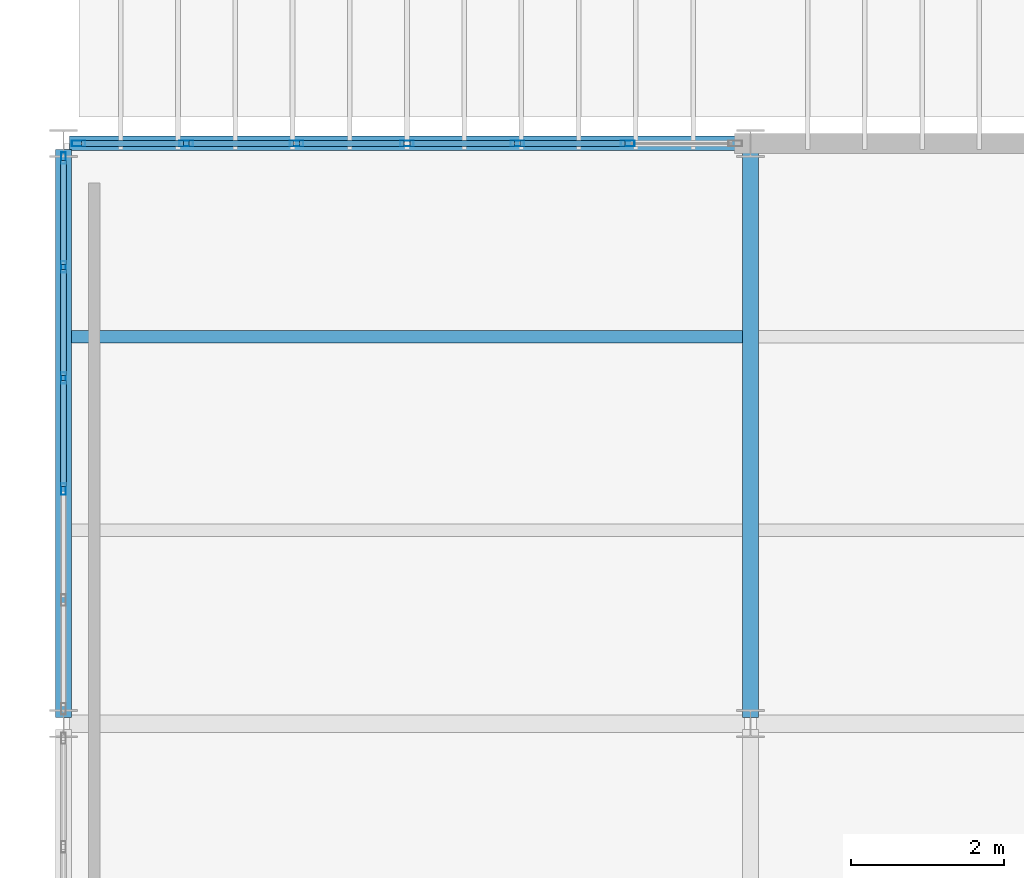
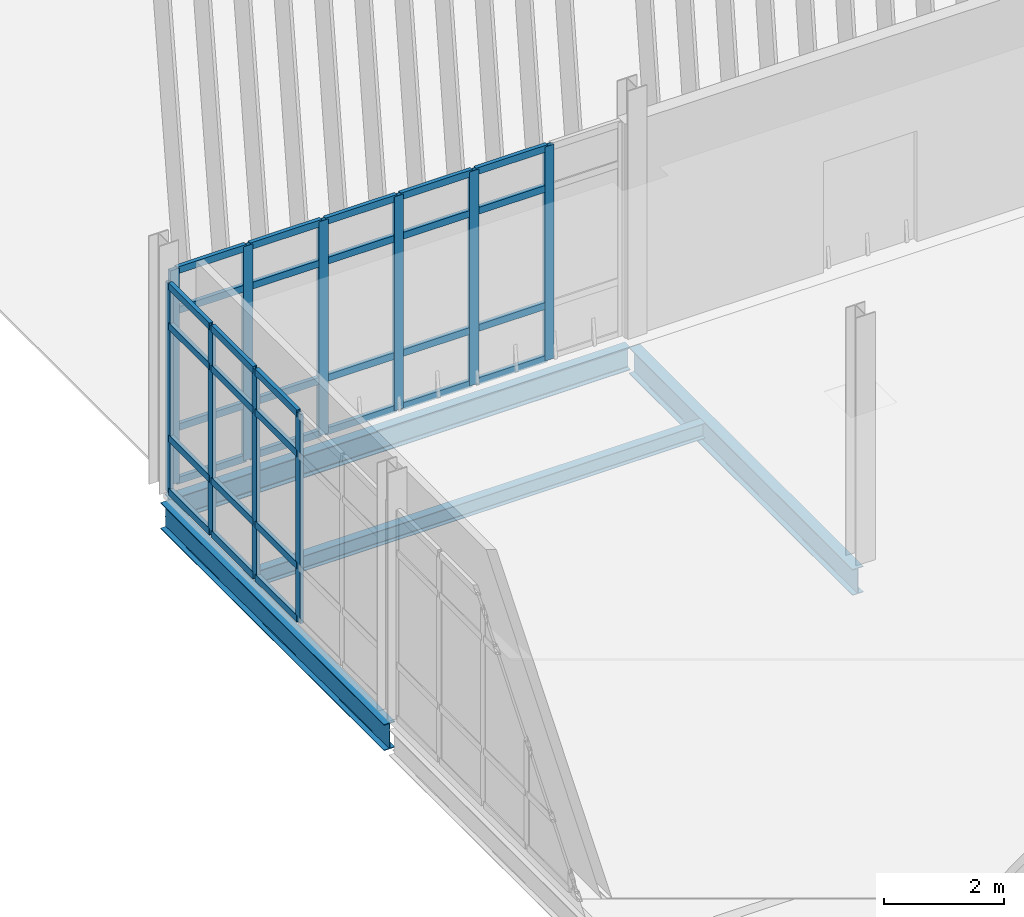
# One storey, part 44 of 161: 42 members, 4 beams, 2 elements without a shape of their own.
"""IFC4 building model written with IfcOpenShell, lengths in metres."""

from ifc_helpers import new_model, si_unit, direction, frame, origin, origin_2d, place, context, subcontext, project, spatial, hollow_rectangle, i_section, extrude, material, material_profile, profile_set, type_object, element, aggregate, save


model = new_model("IFC4")

# Units and contexts
model_context = context("Model", 3, precision=1e-05, world=origin(), true_north=direction((0.0, 1.0)))
body_context = subcontext(model_context, "Body", "Model", "MODEL_VIEW")
ifc_project = project(units=[si_unit("LENGTHUNIT", "METRE"), si_unit("AREAUNIT", "SQUARE_METRE"), si_unit("VOLUMEUNIT", "CUBIC_METRE"), si_unit("PLANEANGLEUNIT", "RADIAN"), si_unit("MASSUNIT", "GRAM", prefix="KILO")], contexts=[model_context])

# Site, building, storey
site_placement = place(None, origin())
site = spatial("IfcSite", under=ifc_project, at=site_placement, CompositionType="ELEMENT")
building_placement = place(site_placement, origin())
building = spatial("IfcBuilding", under=site, at=building_placement, Name="Caisbarro Railhouse Central Library", CompositionType="ELEMENT")
storey_placement = place(building_placement, origin())
storey = spatial("IfcBuildingStorey", under=building, at=storey_placement, Name="L00", CompositionType="ELEMENT", Elevation=0.0)

# Beams
ifc_material_1 = material(Name="Steel ASTM A572 Grade 50", Category="steel")
ifc_material_profile_1 = material_profile(ifc_material_1, i_section(OverallWidth=0.208984375, OverallDepth=0.532958984375, WebThickness=0.01025390625, FlangeThickness=0.015625, FilletRadius=0.02001953125, at=origin_2d()), Name="W530X92.0")
ifc_profile_set_1 = profile_set([ifc_material_profile_1], Name="Steel ASTM A572 Grade 50")
beam_type_1 = type_object("IfcBeamType", Name="BM-G06", PredefinedType="BEAM", material=ifc_profile_set_1)
for number, where, z_axis, x_axis, name in (
    (1, (0.0, 53.280029296875, -0.5166015625), (0.0, 1.0, 0.0), (-1.0, 0.0, 0.0), "G06 beam L00 #286"),
    (2, (9.0, 53.280029296875, -0.5166015625), (0.0, 1.0, 0.0), (-1.0, 0.0, 0.0), "G06 beam L00 #290"),
):
    element("IfcBeam", number, at=place(storey_placement, frame(where, z_axis=z_axis, x_axis=x_axis)), inside=storey, type_object=beam_type_1, Name=name, PredefinedType="BEAM", context=body_context, shape_type="SweptSolid", body=[
        extrude(i_section(OverallWidth=0.208984375, OverallDepth=0.532958984375, WebThickness=0.01025390625, FlangeThickness=0.015625, FilletRadius=0.02001953125, at=origin_2d()), origin(), (0.0, 0.0, 1.0), 7.43994140625),
    ])
ifc_material_profile_2 = material_profile(ifc_material_1, i_section(OverallWidth=0.1650390625, OverallDepth=0.31005859375, WebThickness=0.005859375, FlangeThickness=0.009765625, FilletRadius=0.011962890625, at=origin_2d()), Name="W310X38.7")
ifc_profile_set_2 = profile_set([ifc_material_profile_2], Name="Steel ASTM A572 Grade 50")
beam_type_2 = type_object("IfcBeamType", Name="BM-J03", PredefinedType="JOIST", material=ifc_profile_set_2)
beam_1_placement = place(storey_placement, frame((0.1044921875, 58.2666015625, -0.405029296875), z_axis=(1.0, 0.0, 0.0), x_axis=(0.0, 1.0, 0.0)))
element("IfcBeam", 3, at=beam_1_placement, inside=storey, type_object=beam_type_2, Name="J03 beam L00 #326", PredefinedType="JOIST", context=body_context, shape_type="SweptSolid", body=[
    extrude(i_section(OverallWidth=0.1650390625, OverallDepth=0.31005859375, WebThickness=0.005859375, FlangeThickness=0.009765625, FilletRadius=0.011962890625, at=origin_2d()), origin(), (0.0, 0.0, 1.0), 8.791015625),
])
ifc_material_profile_3 = material_profile(ifc_material_1, i_section(OverallWidth=0.18994140625, OverallDepth=0.45703125, WebThickness=0.009033203125, FlangeThickness=0.014404296875, FilletRadius=0.01806640625, at=origin_2d()), Name="W460X74.0")
ifc_profile_set_3 = profile_set([ifc_material_profile_3], Name="Steel ASTM A572 Grade 50")
beam_type_3 = type_object("IfcBeamType", Name="BM-SP01", PredefinedType="SPANDREL", material=ifc_profile_set_3)
beam_2_placement = place(storey_placement, frame((0.080078125, 60.800048828125, -0.478515625), z_axis=(1.0, 0.0, 0.0), x_axis=(0.0, 1.0, 0.0)))
element("IfcBeam", 4, at=beam_2_placement, inside=storey, type_object=beam_type_3, Name="SP01 beam L00 #275", PredefinedType="SPANDREL", context=body_context, shape_type="SweptSolid", body=[
    extrude(i_section(OverallWidth=0.18994140625, OverallDepth=0.45703125, WebThickness=0.009033203125, FlangeThickness=0.014404296875, FilletRadius=0.01806640625, at=origin_2d()), origin(), (0.0, 0.0, 1.0), 8.83984375),
])

# Curtain wall, members
ifc_material_2 = material(Name="Anodised architectural aluminium", Category="aluminium")
curtain_wall_type_1 = type_object("IfcCurtainWallType", Name="CW-CW01", PredefinedType="NOTDEFINED", material=ifc_material_2)
curtain_wall_1_placement = place(storey_placement, origin())
curtain_wall_1 = element("IfcCurtainWall", 5, at=curtain_wall_1_placement, inside=storey, type_object=curtain_wall_type_1, Name="CW01 curtain wall L00 #1", PredefinedType="NOTDEFINED")
ifc_material_profile_4 = material_profile(ifc_material_2, hollow_rectangle(XDim=0.074951171875, YDim=0.179931640625, WallThickness=0.00439453125, at=origin_2d()), Name="ALU-MUL-75X180")
ifc_profile_set_4 = profile_set([ifc_material_profile_4], Name="Anodised architectural aluminium")
member_type_1 = type_object("IfcMemberType", Name="CWM-M01", PredefinedType="MULLION", material=ifc_profile_set_4)
member_1_placement = place(storey_placement, frame((0.197509765625, 60.800048828125, 0.0), z_axis=(0.0, 0.0, 1.0), x_axis=(0.0, 1.0, 0.0)))
member_1 = element("IfcMember", 6, at=member_1_placement, type_object=member_type_1, Name="CW01 mullion 1", PredefinedType="MULLION", context=body_context, shape_type="SweptSolid", body=[
    extrude(hollow_rectangle(XDim=0.074951171875, YDim=0.179931640625, WallThickness=0.00439453125, at=origin_2d()), origin(), (0.0, 0.0, 1.0), 4.35009765625),
])
member_2_placement = place(storey_placement, frame((1.606689453125, 60.800048828125, 0.0), z_axis=(0.0, 0.0, 1.0), x_axis=(0.0, 1.0, 0.0)))
member_2 = element("IfcMember", 7, at=member_2_placement, type_object=member_type_1, Name="CW01 mullion 2", PredefinedType="MULLION", context=body_context, shape_type="SweptSolid", body=[
    extrude(hollow_rectangle(XDim=0.074951171875, YDim=0.179931640625, WallThickness=0.00439453125, at=origin_2d()), origin(), (0.0, 0.0, 1.0), 4.35009765625),
])
member_3_placement = place(storey_placement, frame((3.05322265625, 60.800048828125, 0.0), z_axis=(0.0, 0.0, 1.0), x_axis=(0.0, 1.0, 0.0)))
member_3 = element("IfcMember", 8, at=member_3_placement, type_object=member_type_1, Name="CW01 mullion 3", PredefinedType="MULLION", context=body_context, shape_type="SweptSolid", body=[
    extrude(hollow_rectangle(XDim=0.074951171875, YDim=0.179931640625, WallThickness=0.00439453125, at=origin_2d()), origin(), (0.0, 0.0, 1.0), 4.35009765625),
])
member_4_placement = place(storey_placement, frame((4.5, 60.800048828125, 0.0), z_axis=(0.0, 0.0, 1.0), x_axis=(0.0, 1.0, 0.0)))
member_4 = element("IfcMember", 9, at=member_4_placement, type_object=member_type_1, Name="CW01 mullion 4", PredefinedType="MULLION", context=body_context, shape_type="SweptSolid", body=[
    extrude(hollow_rectangle(XDim=0.074951171875, YDim=0.179931640625, WallThickness=0.00439453125, at=origin_2d()), origin(), (0.0, 0.0, 1.0), 4.35009765625),
])
member_5_placement = place(storey_placement, frame((5.94677734375, 60.800048828125, 0.0), z_axis=(0.0, 0.0, 1.0), x_axis=(0.0, 1.0, 0.0)))
member_5 = element("IfcMember", 10, at=member_5_placement, type_object=member_type_1, Name="CW01 mullion 5", PredefinedType="MULLION", context=body_context, shape_type="SweptSolid", body=[
    extrude(hollow_rectangle(XDim=0.074951171875, YDim=0.179931640625, WallThickness=0.00439453125, at=origin_2d()), origin(), (0.0, 0.0, 1.0), 4.35009765625),
])
member_6_placement = place(storey_placement, frame((7.393310546875, 60.800048828125, 0.0), z_axis=(0.0, 0.0, 1.0), x_axis=(0.0, 1.0, 0.0)))
member_6 = element("IfcMember", 11, at=member_6_placement, type_object=member_type_1, Name="CW01 mullion 6", PredefinedType="MULLION", context=body_context, shape_type="SweptSolid", body=[
    extrude(hollow_rectangle(XDim=0.074951171875, YDim=0.179931640625, WallThickness=0.00439453125, at=origin_2d()), origin(), (0.0, 0.0, 1.0), 4.35009765625),
])

curtain_wall_type_2 = type_object("IfcCurtainWallType", Name="CW-CW02", PredefinedType="NOTDEFINED", material=ifc_material_2)
curtain_wall_2_placement = place(storey_placement, origin())
curtain_wall_2 = element("IfcCurtainWall", 12, at=curtain_wall_2_placement, inside=storey, type_object=curtain_wall_type_2, Name="CW02 curtain wall L00 #22", PredefinedType="NOTDEFINED")
ifc_material_profile_5 = material_profile(ifc_material_2, hollow_rectangle(XDim=0.06494140625, YDim=0.14990234375, WallThickness=0.00390625, at=origin_2d()), Name="ALU-MUL-65X150")
ifc_profile_set_5 = profile_set([ifc_material_profile_5], Name="Anodised architectural aluminium")
member_type_2 = type_object("IfcMemberType", Name="CWM-M02", PredefinedType="MULLION", material=ifc_profile_set_5)
member_7_placement = place(storey_placement, frame((0.0, 56.27197265625, 0.0), z_axis=(0.0, 0.0, 1.0), x_axis=(-1.0, 0.0, 0.0)))
member_7 = element("IfcMember", 13, at=member_7_placement, type_object=member_type_2, Name="CW02 mullion 3", PredefinedType="MULLION", context=body_context, shape_type="SweptSolid", body=[
    extrude(hollow_rectangle(XDim=0.06494140625, YDim=0.14990234375, WallThickness=0.00390625, at=origin_2d()), origin(), (0.0, 0.0, 1.0), 4.25),
])
member_8_placement = place(storey_placement, frame((0.0, 57.72802734375, 0.0), z_axis=(0.0, 0.0, 1.0), x_axis=(-1.0, 0.0, 0.0)))
member_8 = element("IfcMember", 14, at=member_8_placement, type_object=member_type_2, Name="CW02 mullion 4", PredefinedType="MULLION", context=body_context, shape_type="SweptSolid", body=[
    extrude(hollow_rectangle(XDim=0.06494140625, YDim=0.14990234375, WallThickness=0.00390625, at=origin_2d()), origin(), (0.0, 0.0, 1.0), 4.25),
])
member_9_placement = place(storey_placement, frame((0.0, 59.18408203125, 0.0), z_axis=(0.0, 0.0, 1.0), x_axis=(-1.0, 0.0, 0.0)))
member_9 = element("IfcMember", 15, at=member_9_placement, type_object=member_type_2, Name="CW02 mullion 5", PredefinedType="MULLION", context=body_context, shape_type="SweptSolid", body=[
    extrude(hollow_rectangle(XDim=0.06494140625, YDim=0.14990234375, WallThickness=0.00390625, at=origin_2d()), origin(), (0.0, 0.0, 1.0), 4.25),
])
member_10_placement = place(storey_placement, frame((0.0, 60.607421875, 0.0), z_axis=(0.0, 0.0, 1.0), x_axis=(-1.0, 0.0, 0.0)))
member_10 = element("IfcMember", 16, at=member_10_placement, type_object=member_type_2, Name="CW02 mullion 6", PredefinedType="MULLION", context=body_context, shape_type="SweptSolid", body=[
    extrude(hollow_rectangle(XDim=0.06494140625, YDim=0.14990234375, WallThickness=0.00390625, at=origin_2d()), origin(), (0.0, 0.0, 1.0), 4.25),
])

# Member
ifc_material_profile_6 = material_profile(ifc_material_2, hollow_rectangle(XDim=0.074951171875, YDim=0.139892578125, WallThickness=0.00390625, at=origin_2d()), Name="ALU-TRN-75X140")
ifc_profile_set_6 = profile_set([ifc_material_profile_6], Name="Anodised architectural aluminium")
member_type_3 = type_object("IfcMemberType", Name="CWT-T01", PredefinedType="USERDEFINED", material=ifc_profile_set_6)
member_11_placement = place(storey_placement, frame((0.235107421875, 60.800048828125, 0.03759765625), z_axis=(1.0, 0.0, 0.0), x_axis=(0.0, 1.0, 0.0)))
member_11 = element("IfcMember", 17, at=member_11_placement, type_object=member_type_3, Name="CW01 transom 1.1", ObjectType="TRANSOM", PredefinedType="USERDEFINED", context=body_context, shape_type="SweptSolid", body=[
    extrude(hollow_rectangle(XDim=0.074951171875, YDim=0.139892578125, WallThickness=0.00390625, at=origin_2d()), origin(), (0.0, 0.0, 1.0), 1.333984375),
])

member_12_placement = place(storey_placement, frame((0.235107421875, 60.800048828125, 1.1201171875), z_axis=(1.0, 0.0, 0.0), x_axis=(0.0, 1.0, 0.0)))
member_12 = element("IfcMember", 18, at=member_12_placement, type_object=member_type_3, Name="CW01 transom 1.2", ObjectType="TRANSOM", PredefinedType="USERDEFINED", context=body_context, shape_type="SweptSolid", body=[
    extrude(hollow_rectangle(XDim=0.074951171875, YDim=0.139892578125, WallThickness=0.00390625, at=origin_2d()), origin(), (0.0, 0.0, 1.0), 1.333984375),
])

member_13_placement = place(storey_placement, frame((0.235107421875, 60.800048828125, 3.5), z_axis=(1.0, 0.0, 0.0), x_axis=(0.0, 1.0, 0.0)))
member_13 = element("IfcMember", 19, at=member_13_placement, type_object=member_type_3, Name="CW01 transom 1.3", ObjectType="TRANSOM", PredefinedType="USERDEFINED", context=body_context, shape_type="SweptSolid", body=[
    extrude(hollow_rectangle(XDim=0.074951171875, YDim=0.139892578125, WallThickness=0.00390625, at=origin_2d()), origin(), (0.0, 0.0, 1.0), 1.333984375),
])

member_14_placement = place(storey_placement, frame((0.235107421875, 60.800048828125, 4.3125), z_axis=(1.0, 0.0, 0.0), x_axis=(0.0, 1.0, 0.0)))
member_14 = element("IfcMember", 20, at=member_14_placement, type_object=member_type_3, Name="CW01 transom 1.4", ObjectType="TRANSOM", PredefinedType="USERDEFINED", context=body_context, shape_type="SweptSolid", body=[
    extrude(hollow_rectangle(XDim=0.074951171875, YDim=0.139892578125, WallThickness=0.00390625, at=origin_2d()), origin(), (0.0, 0.0, 1.0), 1.333984375),
])

member_15_placement = place(storey_placement, frame((1.644287109375, 60.800048828125, 0.03759765625), z_axis=(1.0, 0.0, 0.0), x_axis=(0.0, 1.0, 0.0)))
member_15 = element("IfcMember", 21, at=member_15_placement, type_object=member_type_3, Name="CW01 transom 2.1", ObjectType="TRANSOM", PredefinedType="USERDEFINED", context=body_context, shape_type="SweptSolid", body=[
    extrude(hollow_rectangle(XDim=0.074951171875, YDim=0.139892578125, WallThickness=0.00390625, at=origin_2d()), origin(), (0.0, 0.0, 1.0), 1.37158203125),
])

member_16_placement = place(storey_placement, frame((1.644287109375, 60.800048828125, 1.1201171875), z_axis=(1.0, 0.0, 0.0), x_axis=(0.0, 1.0, 0.0)))
member_16 = element("IfcMember", 22, at=member_16_placement, type_object=member_type_3, Name="CW01 transom 2.2", ObjectType="TRANSOM", PredefinedType="USERDEFINED", context=body_context, shape_type="SweptSolid", body=[
    extrude(hollow_rectangle(XDim=0.074951171875, YDim=0.139892578125, WallThickness=0.00390625, at=origin_2d()), origin(), (0.0, 0.0, 1.0), 1.37158203125),
])

member_17_placement = place(storey_placement, frame((1.644287109375, 60.800048828125, 3.5), z_axis=(1.0, 0.0, 0.0), x_axis=(0.0, 1.0, 0.0)))
member_17 = element("IfcMember", 23, at=member_17_placement, type_object=member_type_3, Name="CW01 transom 2.3", ObjectType="TRANSOM", PredefinedType="USERDEFINED", context=body_context, shape_type="SweptSolid", body=[
    extrude(hollow_rectangle(XDim=0.074951171875, YDim=0.139892578125, WallThickness=0.00390625, at=origin_2d()), origin(), (0.0, 0.0, 1.0), 1.37158203125),
])

member_18_placement = place(storey_placement, frame((1.644287109375, 60.800048828125, 4.3125), z_axis=(1.0, 0.0, 0.0), x_axis=(0.0, 1.0, 0.0)))
member_18 = element("IfcMember", 24, at=member_18_placement, type_object=member_type_3, Name="CW01 transom 2.4", ObjectType="TRANSOM", PredefinedType="USERDEFINED", context=body_context, shape_type="SweptSolid", body=[
    extrude(hollow_rectangle(XDim=0.074951171875, YDim=0.139892578125, WallThickness=0.00390625, at=origin_2d()), origin(), (0.0, 0.0, 1.0), 1.37158203125),
])

member_19_placement = place(storey_placement, frame((3.0908203125, 60.800048828125, 0.03759765625), z_axis=(1.0, 0.0, 0.0), x_axis=(0.0, 1.0, 0.0)))
member_19 = element("IfcMember", 25, at=member_19_placement, type_object=member_type_3, Name="CW01 transom 3.1", ObjectType="TRANSOM", PredefinedType="USERDEFINED", context=body_context, shape_type="SweptSolid", body=[
    extrude(hollow_rectangle(XDim=0.074951171875, YDim=0.139892578125, WallThickness=0.00390625, at=origin_2d()), origin(), (0.0, 0.0, 1.0), 1.37158203125),
])

member_20_placement = place(storey_placement, frame((3.0908203125, 60.800048828125, 1.1201171875), z_axis=(1.0, 0.0, 0.0), x_axis=(0.0, 1.0, 0.0)))
member_20 = element("IfcMember", 26, at=member_20_placement, type_object=member_type_3, Name="CW01 transom 3.2", ObjectType="TRANSOM", PredefinedType="USERDEFINED", context=body_context, shape_type="SweptSolid", body=[
    extrude(hollow_rectangle(XDim=0.074951171875, YDim=0.139892578125, WallThickness=0.00390625, at=origin_2d()), origin(), (0.0, 0.0, 1.0), 1.37158203125),
])

member_21_placement = place(storey_placement, frame((3.0908203125, 60.800048828125, 3.5), z_axis=(1.0, 0.0, 0.0), x_axis=(0.0, 1.0, 0.0)))
member_21 = element("IfcMember", 27, at=member_21_placement, type_object=member_type_3, Name="CW01 transom 3.3", ObjectType="TRANSOM", PredefinedType="USERDEFINED", context=body_context, shape_type="SweptSolid", body=[
    extrude(hollow_rectangle(XDim=0.074951171875, YDim=0.139892578125, WallThickness=0.00390625, at=origin_2d()), origin(), (0.0, 0.0, 1.0), 1.37158203125),
])

member_22_placement = place(storey_placement, frame((3.0908203125, 60.800048828125, 4.3125), z_axis=(1.0, 0.0, 0.0), x_axis=(0.0, 1.0, 0.0)))
member_22 = element("IfcMember", 28, at=member_22_placement, type_object=member_type_3, Name="CW01 transom 3.4", ObjectType="TRANSOM", PredefinedType="USERDEFINED", context=body_context, shape_type="SweptSolid", body=[
    extrude(hollow_rectangle(XDim=0.074951171875, YDim=0.139892578125, WallThickness=0.00390625, at=origin_2d()), origin(), (0.0, 0.0, 1.0), 1.37158203125),
])

member_23_placement = place(storey_placement, frame((4.53759765625, 60.800048828125, 0.03759765625), z_axis=(1.0, 0.0, 0.0), x_axis=(0.0, 1.0, 0.0)))
member_23 = element("IfcMember", 29, at=member_23_placement, type_object=member_type_3, Name="CW01 transom 4.1", ObjectType="TRANSOM", PredefinedType="USERDEFINED", context=body_context, shape_type="SweptSolid", body=[
    extrude(hollow_rectangle(XDim=0.074951171875, YDim=0.139892578125, WallThickness=0.00390625, at=origin_2d()), origin(), (0.0, 0.0, 1.0), 1.37158203125),
])

member_24_placement = place(storey_placement, frame((4.53759765625, 60.800048828125, 1.1201171875), z_axis=(1.0, 0.0, 0.0), x_axis=(0.0, 1.0, 0.0)))
member_24 = element("IfcMember", 30, at=member_24_placement, type_object=member_type_3, Name="CW01 transom 4.2", ObjectType="TRANSOM", PredefinedType="USERDEFINED", context=body_context, shape_type="SweptSolid", body=[
    extrude(hollow_rectangle(XDim=0.074951171875, YDim=0.139892578125, WallThickness=0.00390625, at=origin_2d()), origin(), (0.0, 0.0, 1.0), 1.37158203125),
])

member_25_placement = place(storey_placement, frame((4.53759765625, 60.800048828125, 3.5), z_axis=(1.0, 0.0, 0.0), x_axis=(0.0, 1.0, 0.0)))
member_25 = element("IfcMember", 31, at=member_25_placement, type_object=member_type_3, Name="CW01 transom 4.3", ObjectType="TRANSOM", PredefinedType="USERDEFINED", context=body_context, shape_type="SweptSolid", body=[
    extrude(hollow_rectangle(XDim=0.074951171875, YDim=0.139892578125, WallThickness=0.00390625, at=origin_2d()), origin(), (0.0, 0.0, 1.0), 1.37158203125),
])

member_26_placement = place(storey_placement, frame((4.53759765625, 60.800048828125, 4.3125), z_axis=(1.0, 0.0, 0.0), x_axis=(0.0, 1.0, 0.0)))
member_26 = element("IfcMember", 32, at=member_26_placement, type_object=member_type_3, Name="CW01 transom 4.4", ObjectType="TRANSOM", PredefinedType="USERDEFINED", context=body_context, shape_type="SweptSolid", body=[
    extrude(hollow_rectangle(XDim=0.074951171875, YDim=0.139892578125, WallThickness=0.00390625, at=origin_2d()), origin(), (0.0, 0.0, 1.0), 1.37158203125),
])

member_27_placement = place(storey_placement, frame((5.984130859375, 60.800048828125, 0.03759765625), z_axis=(1.0, 0.0, 0.0), x_axis=(0.0, 1.0, 0.0)))
member_27 = element("IfcMember", 33, at=member_27_placement, type_object=member_type_3, Name="CW01 transom 5.1", ObjectType="TRANSOM", PredefinedType="USERDEFINED", context=body_context, shape_type="SweptSolid", body=[
    extrude(hollow_rectangle(XDim=0.074951171875, YDim=0.139892578125, WallThickness=0.00390625, at=origin_2d()), origin(), (0.0, 0.0, 1.0), 1.37158203125),
])

member_28_placement = place(storey_placement, frame((5.984130859375, 60.800048828125, 1.1201171875), z_axis=(1.0, 0.0, 0.0), x_axis=(0.0, 1.0, 0.0)))
member_28 = element("IfcMember", 34, at=member_28_placement, type_object=member_type_3, Name="CW01 transom 5.2", ObjectType="TRANSOM", PredefinedType="USERDEFINED", context=body_context, shape_type="SweptSolid", body=[
    extrude(hollow_rectangle(XDim=0.074951171875, YDim=0.139892578125, WallThickness=0.00390625, at=origin_2d()), origin(), (0.0, 0.0, 1.0), 1.37158203125),
])

member_29_placement = place(storey_placement, frame((5.984130859375, 60.800048828125, 3.5), z_axis=(1.0, 0.0, 0.0), x_axis=(0.0, 1.0, 0.0)))
member_29 = element("IfcMember", 35, at=member_29_placement, type_object=member_type_3, Name="CW01 transom 5.3", ObjectType="TRANSOM", PredefinedType="USERDEFINED", context=body_context, shape_type="SweptSolid", body=[
    extrude(hollow_rectangle(XDim=0.074951171875, YDim=0.139892578125, WallThickness=0.00390625, at=origin_2d()), origin(), (0.0, 0.0, 1.0), 1.37158203125),
])

member_30_placement = place(storey_placement, frame((5.984130859375, 60.800048828125, 4.3125), z_axis=(1.0, 0.0, 0.0), x_axis=(0.0, 1.0, 0.0)))
member_30 = element("IfcMember", 36, at=member_30_placement, type_object=member_type_3, Name="CW01 transom 5.4", ObjectType="TRANSOM", PredefinedType="USERDEFINED", context=body_context, shape_type="SweptSolid", body=[
    extrude(hollow_rectangle(XDim=0.074951171875, YDim=0.139892578125, WallThickness=0.00390625, at=origin_2d()), origin(), (0.0, 0.0, 1.0), 1.37158203125),
])

aggregate(curtain_wall_1, [member_1, member_2, member_3, member_4, member_5, member_6, member_11, member_12, member_13, member_14, member_15, member_16, member_17, member_18, member_19, member_20, member_21, member_22, member_23, member_24, member_25, member_26, member_27, member_28, member_29, member_30])

member_31_placement = place(storey_placement, frame((0.0, 56.304443359375, 0.03759765625), z_axis=(0.0, 1.0, 0.0), x_axis=(-1.0, 0.0, 0.0)))
member_31 = element("IfcMember", 37, at=member_31_placement, type_object=member_type_3, Name="CW02 transom 3.1", ObjectType="TRANSOM", PredefinedType="USERDEFINED", context=body_context, shape_type="SweptSolid", body=[
    extrude(hollow_rectangle(XDim=0.074951171875, YDim=0.139892578125, WallThickness=0.00390625, at=origin_2d()), origin(), (0.0, 0.0, 1.0), 1.39111328125),
])

member_32_placement = place(storey_placement, frame((0.0, 56.304443359375, 1.1201171875), z_axis=(0.0, 1.0, 0.0), x_axis=(-1.0, 0.0, 0.0)))
member_32 = element("IfcMember", 38, at=member_32_placement, type_object=member_type_3, Name="CW02 transom 3.2", ObjectType="TRANSOM", PredefinedType="USERDEFINED", context=body_context, shape_type="SweptSolid", body=[
    extrude(hollow_rectangle(XDim=0.074951171875, YDim=0.139892578125, WallThickness=0.00390625, at=origin_2d()), origin(), (0.0, 0.0, 1.0), 1.39111328125),
])

member_33_placement = place(storey_placement, frame((0.0, 56.304443359375, 3.39990234375), z_axis=(0.0, 1.0, 0.0), x_axis=(-1.0, 0.0, 0.0)))
member_33 = element("IfcMember", 39, at=member_33_placement, type_object=member_type_3, Name="CW02 transom 3.3", ObjectType="TRANSOM", PredefinedType="USERDEFINED", context=body_context, shape_type="SweptSolid", body=[
    extrude(hollow_rectangle(XDim=0.074951171875, YDim=0.139892578125, WallThickness=0.00390625, at=origin_2d()), origin(), (0.0, 0.0, 1.0), 1.39111328125),
])

member_34_placement = place(storey_placement, frame((0.0, 56.304443359375, 4.21240234375), z_axis=(0.0, 1.0, 0.0), x_axis=(-1.0, 0.0, 0.0)))
member_34 = element("IfcMember", 40, at=member_34_placement, type_object=member_type_3, Name="CW02 transom 3.4", ObjectType="TRANSOM", PredefinedType="USERDEFINED", context=body_context, shape_type="SweptSolid", body=[
    extrude(hollow_rectangle(XDim=0.074951171875, YDim=0.139892578125, WallThickness=0.00390625, at=origin_2d()), origin(), (0.0, 0.0, 1.0), 1.39111328125),
])

member_35_placement = place(storey_placement, frame((0.0, 57.760498046875, 0.03759765625), z_axis=(0.0, 1.0, 0.0), x_axis=(-1.0, 0.0, 0.0)))
member_35 = element("IfcMember", 41, at=member_35_placement, type_object=member_type_3, Name="CW02 transom 4.1", ObjectType="TRANSOM", PredefinedType="USERDEFINED", context=body_context, shape_type="SweptSolid", body=[
    extrude(hollow_rectangle(XDim=0.074951171875, YDim=0.139892578125, WallThickness=0.00390625, at=origin_2d()), origin(), (0.0, 0.0, 1.0), 1.39111328125),
])

member_36_placement = place(storey_placement, frame((0.0, 57.760498046875, 1.1201171875), z_axis=(0.0, 1.0, 0.0), x_axis=(-1.0, 0.0, 0.0)))
member_36 = element("IfcMember", 42, at=member_36_placement, type_object=member_type_3, Name="CW02 transom 4.2", ObjectType="TRANSOM", PredefinedType="USERDEFINED", context=body_context, shape_type="SweptSolid", body=[
    extrude(hollow_rectangle(XDim=0.074951171875, YDim=0.139892578125, WallThickness=0.00390625, at=origin_2d()), origin(), (0.0, 0.0, 1.0), 1.39111328125),
])

member_37_placement = place(storey_placement, frame((0.0, 57.760498046875, 3.39990234375), z_axis=(0.0, 1.0, 0.0), x_axis=(-1.0, 0.0, 0.0)))
member_37 = element("IfcMember", 43, at=member_37_placement, type_object=member_type_3, Name="CW02 transom 4.3", ObjectType="TRANSOM", PredefinedType="USERDEFINED", context=body_context, shape_type="SweptSolid", body=[
    extrude(hollow_rectangle(XDim=0.074951171875, YDim=0.139892578125, WallThickness=0.00390625, at=origin_2d()), origin(), (0.0, 0.0, 1.0), 1.39111328125),
])

member_38_placement = place(storey_placement, frame((0.0, 57.760498046875, 4.21240234375), z_axis=(0.0, 1.0, 0.0), x_axis=(-1.0, 0.0, 0.0)))
member_38 = element("IfcMember", 44, at=member_38_placement, type_object=member_type_3, Name="CW02 transom 4.4", ObjectType="TRANSOM", PredefinedType="USERDEFINED", context=body_context, shape_type="SweptSolid", body=[
    extrude(hollow_rectangle(XDim=0.074951171875, YDim=0.139892578125, WallThickness=0.00390625, at=origin_2d()), origin(), (0.0, 0.0, 1.0), 1.39111328125),
])

member_39_placement = place(storey_placement, frame((0.0, 59.216552734375, 0.03759765625), z_axis=(0.0, 1.0, 0.0), x_axis=(-1.0, 0.0, 0.0)))
member_39 = element("IfcMember", 45, at=member_39_placement, type_object=member_type_3, Name="CW02 transom 5.1", ObjectType="TRANSOM", PredefinedType="USERDEFINED", context=body_context, shape_type="SweptSolid", body=[
    extrude(hollow_rectangle(XDim=0.074951171875, YDim=0.139892578125, WallThickness=0.00390625, at=origin_2d()), origin(), (0.0, 0.0, 1.0), 1.3583984375),
])

member_40_placement = place(storey_placement, frame((0.0, 59.216552734375, 1.1201171875), z_axis=(0.0, 1.0, 0.0), x_axis=(-1.0, 0.0, 0.0)))
member_40 = element("IfcMember", 46, at=member_40_placement, type_object=member_type_3, Name="CW02 transom 5.2", ObjectType="TRANSOM", PredefinedType="USERDEFINED", context=body_context, shape_type="SweptSolid", body=[
    extrude(hollow_rectangle(XDim=0.074951171875, YDim=0.139892578125, WallThickness=0.00390625, at=origin_2d()), origin(), (0.0, 0.0, 1.0), 1.3583984375),
])

member_41_placement = place(storey_placement, frame((0.0, 59.216552734375, 3.39990234375), z_axis=(0.0, 1.0, 0.0), x_axis=(-1.0, 0.0, 0.0)))
member_41 = element("IfcMember", 47, at=member_41_placement, type_object=member_type_3, Name="CW02 transom 5.3", ObjectType="TRANSOM", PredefinedType="USERDEFINED", context=body_context, shape_type="SweptSolid", body=[
    extrude(hollow_rectangle(XDim=0.074951171875, YDim=0.139892578125, WallThickness=0.00390625, at=origin_2d()), origin(), (0.0, 0.0, 1.0), 1.3583984375),
])

member_42_placement = place(storey_placement, frame((0.0, 59.216552734375, 4.21240234375), z_axis=(0.0, 1.0, 0.0), x_axis=(-1.0, 0.0, 0.0)))
member_42 = element("IfcMember", 48, at=member_42_placement, type_object=member_type_3, Name="CW02 transom 5.4", ObjectType="TRANSOM", PredefinedType="USERDEFINED", context=body_context, shape_type="SweptSolid", body=[
    extrude(hollow_rectangle(XDim=0.074951171875, YDim=0.139892578125, WallThickness=0.00390625, at=origin_2d()), origin(), (0.0, 0.0, 1.0), 1.3583984375),
])

aggregate(curtain_wall_2, [member_7, member_8, member_9, member_10, member_31, member_32, member_33, member_34, member_35, member_36, member_37, member_38, member_39, member_40, member_41, member_42])

save(model, "model.ifc")
